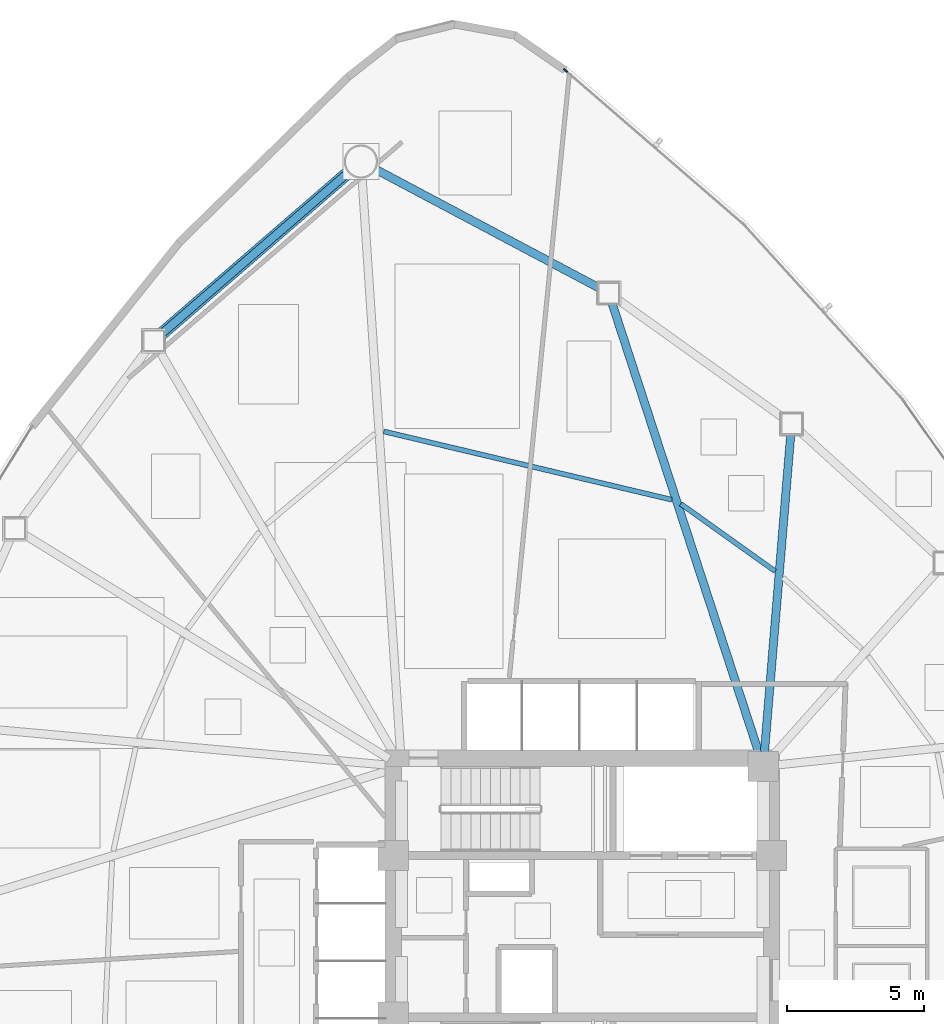
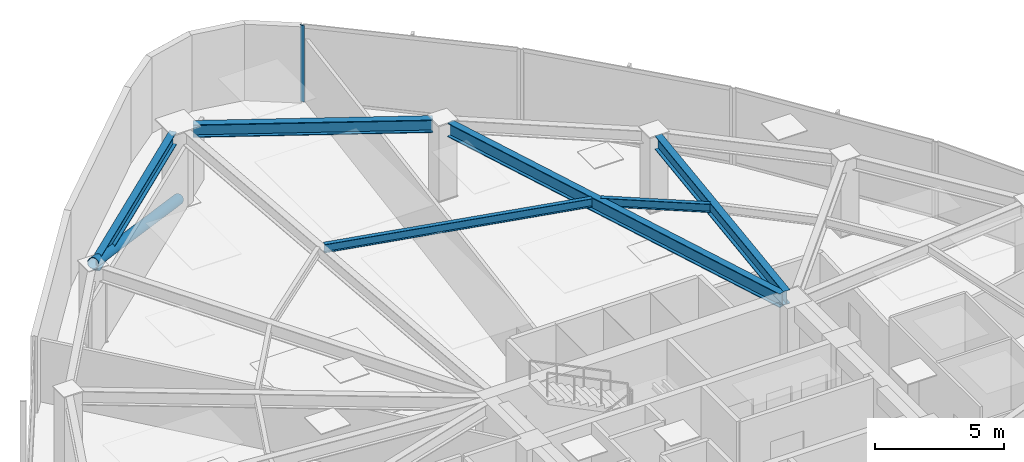
# One storey, part 8 of 16: 6 beams, 2 members, 1 element without a shape of its own.
"""IFC4 building model written with IfcOpenShell, lengths in metres."""

from ifc_helpers import new_model, si_unit, direction, frame, origin, origin_2d, place, context, subcontext, project, spatial, hollow_rectangle, hollow_circle, i_section, extrude, source, transform, mapped, material, layer, layer_set, material_profile, profile_set, type_object, type_shapes, element, aggregate, save


model = new_model("IFC4")

# Units and contexts
model_context = context("Model", 3, precision=1e-05, world=origin(), true_north=direction((0.0, 1.0)))
body_context = subcontext(model_context, "Body", "Model", "MODEL_VIEW")
ifc_project = project(units=[si_unit("LENGTHUNIT", "METRE"), si_unit("AREAUNIT", "SQUARE_METRE"), si_unit("VOLUMEUNIT", "CUBIC_METRE"), si_unit("PLANEANGLEUNIT", "RADIAN"), si_unit("MASSUNIT", "GRAM", prefix="KILO")], contexts=[model_context])

# Site, building, storey
site_placement = place(None, origin())
site = spatial("IfcSite", under=ifc_project, at=site_placement, CompositionType="ELEMENT")
building_placement = place(site_placement, origin())
building = spatial("IfcBuilding", under=site, at=building_placement, Name="Tavelor Broadcast Tower", CompositionType="ELEMENT")
storey_placement = place(building_placement, frame((0.0, 0.0, 31.5)))
storey = spatial("IfcBuildingStorey", under=building, at=storey_placement, Name="L06", CompositionType="ELEMENT", Elevation=31.5)

# Beams
ifc_material_1 = material(Name="Steel S355", Category="steel")
ifc_material_profile_1 = material_profile(ifc_material_1, i_section(OverallWidth=0.179931640625, OverallDepth=0.39990234375, WebThickness=0.008544921875, FlangeThickness=0.013427734375, at=origin_2d()), Name="IPE 400")
ifc_profile_set_1 = profile_set([ifc_material_profile_1], Name="Steel S355")
beam_type_1 = type_object("IfcBeamType", Name="Composite Floor Joist T1 IPE 400", PredefinedType="JOIST", material=ifc_profile_set_1)
beam_1_placement = place(storey_placement, frame((57.03369140625, 58.321044921875, 3.39990234375), z_axis=(-0.814052615916, 0.580791131579, 0.0), x_axis=(-0.580791131579, -0.814052615916, 0.0)))
element("IfcBeam", 1, at=beam_1_placement, inside=storey, type_object=beam_type_1, Name="L06 Secondary Composite Floor Joist 17", PredefinedType="JOIST", context=body_context, shape_type="SweptSolid", body=[
    extrude(i_section(OverallWidth=0.179931640625, OverallDepth=0.39990234375, WebThickness=0.008544921875, FlangeThickness=0.013427734375, at=origin_2d()), origin(), (0.0, 0.0, 1.0), 4.23681640625),
])
beam_2_placement = place(storey_placement, frame((53.260986328125, 60.9287109375, 3.39990234375), z_axis=(-0.973012053378, 0.230754293526, 0.0), x_axis=(-0.230754293526, -0.973012053378, 0.0)))
element("IfcBeam", 2, at=beam_2_placement, inside=storey, type_object=beam_type_1, Name="L06 Secondary Composite Floor Joist 18", PredefinedType="JOIST", context=body_context, shape_type="SweptSolid", body=[
    extrude(i_section(OverallWidth=0.179931640625, OverallDepth=0.39990234375, WebThickness=0.008544921875, FlangeThickness=0.013427734375, at=origin_2d()), origin(), (0.0, 0.0, 1.0), 10.797119140625),
])
ifc_material_profile_2 = material_profile(ifc_material_1, i_section(OverallWidth=0.300048828125, OverallDepth=0.60009765625, WebThickness=0.015380859375, FlangeThickness=0.030029296875, at=origin_2d()), Name="HEB 600")
ifc_profile_set_2 = profile_set([ifc_material_profile_2], Name="Steel S355")
beam_type_2 = type_object("IfcBeamType", Name="Perimeter Spandrel Beam T1 HEB 600", PredefinedType="SPANDREL", material=ifc_profile_set_2)
beam_3_placement = place(storey_placement, frame((41.48046875, 72.8837890625, 3.300048828125), z_axis=(-0.756663126242, -0.653804950566, 0.0), x_axis=(0.653804950566, -0.756663126242, 0.0)))
element("IfcBeam", 3, at=beam_3_placement, inside=storey, type_object=beam_type_2, Name="L06 Framed-Tube Ring Spandrel 01", PredefinedType="SPANDREL", context=body_context, shape_type="SweptSolid", body=[
    extrude(i_section(OverallWidth=0.300048828125, OverallDepth=0.60009765625, WebThickness=0.015380859375, FlangeThickness=0.030029296875, at=origin_2d()), origin(), (0.0, 0.0, 1.0), 9.031494140625),
])
beam_4_placement = place(storey_placement, frame((50.62255859375, 68.648681640625, 3.300048828125), z_axis=(-0.883283542259, 0.468839187755, 0.0), x_axis=(-0.468839187755, -0.883283542259, 0.0)))
element("IfcBeam", 4, at=beam_4_placement, inside=storey, type_object=beam_type_2, Name="L06 Framed-Tube Ring Spandrel 18", PredefinedType="SPANDREL", context=body_context, shape_type="SweptSolid", body=[
    extrude(i_section(OverallWidth=0.300048828125, OverallDepth=0.60009765625, WebThickness=0.015380859375, FlangeThickness=0.030029296875, at=origin_2d()), origin(), (0.0, 0.0, 1.0), 9.263916015625),
])

# Member
ifc_material_profile_3 = material_profile(ifc_material_1, hollow_circle(Radius=0.228515625, WallThickness=0.02001953125, at=origin_2d()), Name="CHS 457x20")
ifc_profile_set_3 = profile_set([ifc_material_profile_3], Name="Steel S355")
member_type_1 = type_object("IfcMemberType", Name="Perimeter Tube Brace T1 CHS 457x20", PredefinedType="BRACE", material=ifc_profile_set_3)
member_1_placement = place(storey_placement, frame((41.923095703125, 73.266357421875, 0.0), z_axis=(-0.711923189295, -0.615174771108, 0.338711342497), x_axis=(0.653821967179, -0.756648422475, 0.0)))
element("IfcMember", 5, at=member_1_placement, inside=storey, type_object=member_type_1, Name="L06 Corner Tube Diagonal Brace 1", PredefinedType="BRACE", context=body_context, shape_type="SweptSolid", body=[
    extrude(hollow_circle(Radius=0.228515625, WallThickness=0.02001953125, at=origin_2d()), origin(), (0.0, 0.0, 1.0), 10.62890625),
])

# Beams
ifc_material_profile_4 = material_profile(ifc_material_1, i_section(OverallWidth=0.300048828125, OverallDepth=0.64990234375, WebThickness=0.01611328125, FlangeThickness=0.031005859375, at=origin_2d()), Name="HEB 650")
ifc_profile_set_4 = profile_set([ifc_material_profile_4], Name="Steel S355")
beam_type_3 = type_object("IfcBeamType", Name="Radial Floor Girder T1 HEB 650", PredefinedType="BEAM", material=ifc_profile_set_4)
beam_5_placement = place(storey_placement, frame((56.6435546875, 51.726318359375, 3.27490234375), z_axis=(0.08251031281, 0.996590210809, 0.0), x_axis=(-0.996590210809, 0.08251031281, 0.0)))
element("IfcBeam", 6, at=beam_5_placement, inside=storey, type_object=beam_type_3, Name="L06 Radial Primary Floor Girder 17", PredefinedType="BEAM", context=body_context, shape_type="SweptSolid", body=[
    extrude(i_section(OverallWidth=0.300048828125, OverallDepth=0.64990234375, WebThickness=0.01611328125, FlangeThickness=0.031005859375, at=origin_2d()), origin(), (0.0, 0.0, 1.0), 11.62841796875),
])
beam_6_placement = place(storey_placement, frame((56.43603515625, 51.701904296875, 3.27490234375), z_axis=(-0.310367857535, 0.950616533103, 0.0), x_axis=(-0.950616533103, -0.310367857535, 0.0)))
element("IfcBeam", 7, at=beam_6_placement, inside=storey, type_object=beam_type_3, Name="L06 Radial Primary Floor Girder 18", PredefinedType="BEAM", context=body_context, shape_type="SweptSolid", body=[
    extrude(i_section(OverallWidth=0.300048828125, OverallDepth=0.64990234375, WebThickness=0.01611328125, FlangeThickness=0.031005859375, at=origin_2d()), origin(), (0.0, 0.0, 1.0), 17.253662109375),
])

# Curtain wall, member
ifc_material_2 = material(Name="Architectural Anodized Aluminium", Category="aluminium")
ifc_layer = layer(ifc_material_2, 0.179931640625)
ifc_layer_set = layer_set([ifc_layer], Name="Architectural Anodized Aluminium")
curtain_wall_type = type_object("IfcCurtainWallType", Name="Tower Low-Zone Unitised Curtain Wall CW02", PredefinedType="NOTDEFINED", material=ifc_layer_set)
curtain_wall_placement = place(storey_placement, origin())
curtain_wall = element("IfcCurtainWall", 8, at=curtain_wall_placement, inside=storey, type_object=curtain_wall_type, Name="L06 Curtain Wall CW02 Run 36", PredefinedType="NOTDEFINED")
ifc_material_profile_5 = material_profile(ifc_material_2, hollow_rectangle(XDim=0.06494140625, YDim=0.179931640625, WallThickness=0.02197265625, at=origin_2d()), Name="RHS 65x180x22")
ifc_profile_set_5 = profile_set([ifc_material_profile_5], Name="Architectural Anodized Aluminium")
member_type_2 = type_object("IfcMemberType", Name="CW02 Extruded Aluminium Mullion 65x180", PredefinedType="MULLION", material=ifc_profile_set_5)
shared_shape = source(origin(), body_context, "Body", "SweptSolid", [
    extrude(hollow_rectangle(XDim=0.06494140625, YDim=0.179931640625, WallThickness=0.02197265625, at=origin_2d()), origin(), (0.0, 0.0, 1.0), 3.60009765625),
])
type_shapes(member_type_2, [shared_shape])
member_2_placement = place(storey_placement, frame((49.386474609375, 76.58837890625, 0.0), z_axis=(0.0, 0.0, 1.0), x_axis=(-0.653736361619, -0.756722386015, 0.0)))
member_2 = element("IfcMember", 9, at=member_2_placement, type_object=member_type_2, Name="CW02 mullion 2", PredefinedType="MULLION", context=body_context, shape_type="MappedRepresentation", body=[
    mapped(shared_shape, transform((0.0, 0.0, 0.0), scale=1.0)),
])
aggregate(curtain_wall, [member_2])

save(model, "model.ifc")
